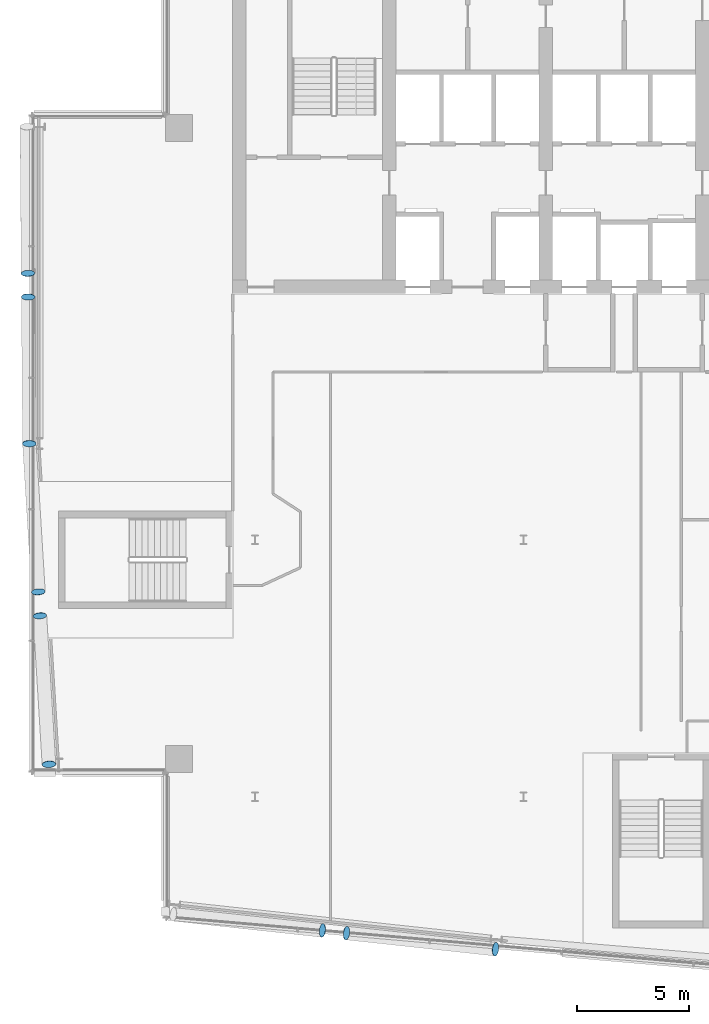
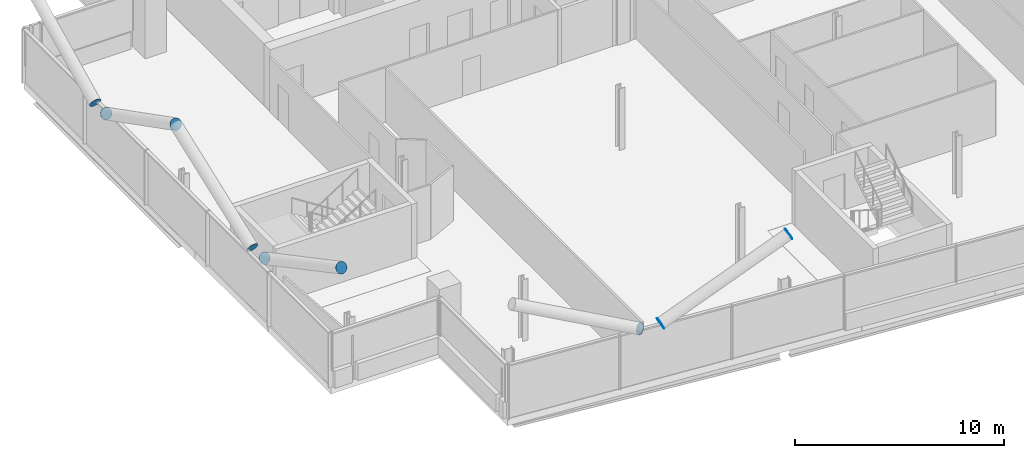
# One storey, part 20 of 26: 9 discrete accessories.
"""IFC4 building model written with IfcOpenShell, lengths in metres."""

from ifc_helpers import new_model, si_unit, direction, frame, origin, origin_2d, place, context, subcontext, project, spatial, circle, extrude, material, material_profile, profile_set, type_object, element, save


model = new_model("IFC4")

# Units and contexts
model_context = context("Model", 3, precision=1e-05, world=origin(), true_north=direction((0.0, 1.0)))
body_context = subcontext(model_context, "Body", "Model", "MODEL_VIEW")
ifc_project = project(units=[si_unit("LENGTHUNIT", "METRE"), si_unit("AREAUNIT", "SQUARE_METRE"), si_unit("VOLUMEUNIT", "CUBIC_METRE"), si_unit("PLANEANGLEUNIT", "RADIAN"), si_unit("MASSUNIT", "GRAM", prefix="KILO")], contexts=[model_context])

# Site, building, storey
site_placement = place(None, origin())
site = spatial("IfcSite", under=ifc_project, at=site_placement, CompositionType="ELEMENT")
building_placement = place(site_placement, origin())
building = spatial("IfcBuilding", under=site, at=building_placement, Name="Wharfspan Tower", CompositionType="ELEMENT")
storey_placement = place(building_placement, frame((0.0, 0.0, 235.899902)))
storey = spatial("IfcBuildingStorey", under=building, at=storey_placement, Name="L59", CompositionType="ELEMENT", Elevation=235.899902)

# Discrete accessories
ifc_material = material(Name="Steel S460NH", Category="steel")
ifc_material_profile = material_profile(ifc_material, circle(Radius=0.304932, at=origin_2d()))
ifc_profile_set = profile_set([ifc_material_profile], Name="Steel S460NH")
discrete_accessory_type = type_object("IfcDiscreteAccessoryType", Name="End plate CHS 610x25", PredefinedType="BRACKET", material=ifc_profile_set)
discrete_accessory_1_placement = place(storey_placement, frame((28.080078, 5.411865, 3.166748), z_axis=(0.890043, -0.098894, 0.445021), x_axis=(0.110431, 0.99388, 1e-06)))
element("IfcDiscreteAccessory", 1, at=discrete_accessory_1_placement, inside=storey, type_object=discrete_accessory_type, Name="End plate CHS 610x25", PredefinedType="BRACKET", context=body_context, shape_type="SweptSolid", body=[
    extrude(circle(Radius=0.304932, at=origin_2d()), origin(), (0.0, 0.0, 1.0), 0.009766),
])
discrete_accessory_2_placement = place(storey_placement, frame((34.741699, 4.689941, 6.5), z_axis=(0.885482, -0.095728, 0.454707), x_axis=(0.107482, 0.994211, 1e-06)))
element("IfcDiscreteAccessory", 2, at=discrete_accessory_2_placement, inside=storey, type_object=discrete_accessory_type, Name="End plate CHS 610x25", PredefinedType="BRACKET", context=body_context, shape_type="SweptSolid", body=[
    extrude(circle(Radius=0.304932, at=origin_2d()), origin(), (0.0, 0.0, 1.0), 0.010254),
])
discrete_accessory_3_placement = place(storey_placement, frame((27.014404, 5.527344, 3.166748), z_axis=(-0.895016, 0.096758, 0.435413), x_axis=(-0.107482, -0.994209, -1e-06)))
element("IfcDiscreteAccessory", 3, at=discrete_accessory_3_placement, inside=storey, type_object=discrete_accessory_type, Name="End plate CHS 610x25", PredefinedType="BRACKET", context=body_context, shape_type="SweptSolid", body=[
    extrude(circle(Radius=0.304932, at=origin_2d()), origin(), (0.0, 0.0, 1.0), 0.01001),
])
discrete_accessory_4_placement = place(storey_placement, frame((13.853271, 33.85791, 3.165527), z_axis=(0.0, -0.894427, 0.447214), x_axis=(1.0, 0.0, 0.0)))
element("IfcDiscreteAccessory", 4, at=discrete_accessory_4_placement, inside=storey, type_object=discrete_accessory_type, Name="End plate CHS 610x25", PredefinedType="BRACKET", context=body_context, shape_type="SweptSolid", body=[
    extrude(circle(Radius=0.304932, at=origin_2d()), origin(), (0.0, 0.0, 1.0), 0.009766),
])
discrete_accessory_5_placement = place(storey_placement, frame((13.905029, 27.300049, 6.5), z_axis=(0.0, -0.889567, 0.456805), x_axis=(1.0, 0.0, 0.0)))
element("IfcDiscreteAccessory", 5, at=discrete_accessory_5_placement, inside=storey, type_object=discrete_accessory_type, Name="End plate CHS 610x25", PredefinedType="BRACKET", context=body_context, shape_type="SweptSolid", body=[
    extrude(circle(Radius=0.304932, at=origin_2d()), origin(), (0.0, 0.0, 1.0), 0.010254),
])
for number, where, z_axis, x_axis, name in (
    (6, (13.844971, 34.901611, 3.165527), (-0.024296, 0.89897, 0.437337), (-0.999631, -0.027017, 1e-06), "End plate CHS 610x25"),
    (7, (14.376221, 19.601807, 3.16626), (0.072718, -0.896854, 0.436308), (0.996729, 0.080815, -2e-06), "End plate CHS 610x25"),
    (8, (14.782715, 12.963379, 6.5), (0.049073, -0.883319, 0.466196), (0.998456, 0.05547, 1e-06), "End plate CHS 610x25"),
    (9, (14.311523, 20.661621, 3.16626), (-0.072718, 0.896854, 0.436308), (-0.996729, -0.080815, -2e-06), "End plate CHS 610x25"),
):
    element("IfcDiscreteAccessory", number, at=place(storey_placement, frame(where, z_axis=z_axis, x_axis=x_axis)), inside=storey, type_object=discrete_accessory_type, Name=name, PredefinedType="BRACKET", context=body_context, shape_type="SweptSolid", body=[
        extrude(circle(Radius=0.304932, at=origin_2d()), origin(), (0.0, 0.0, 1.0), 0.01001),
    ])

save(model, "model.ifc")
